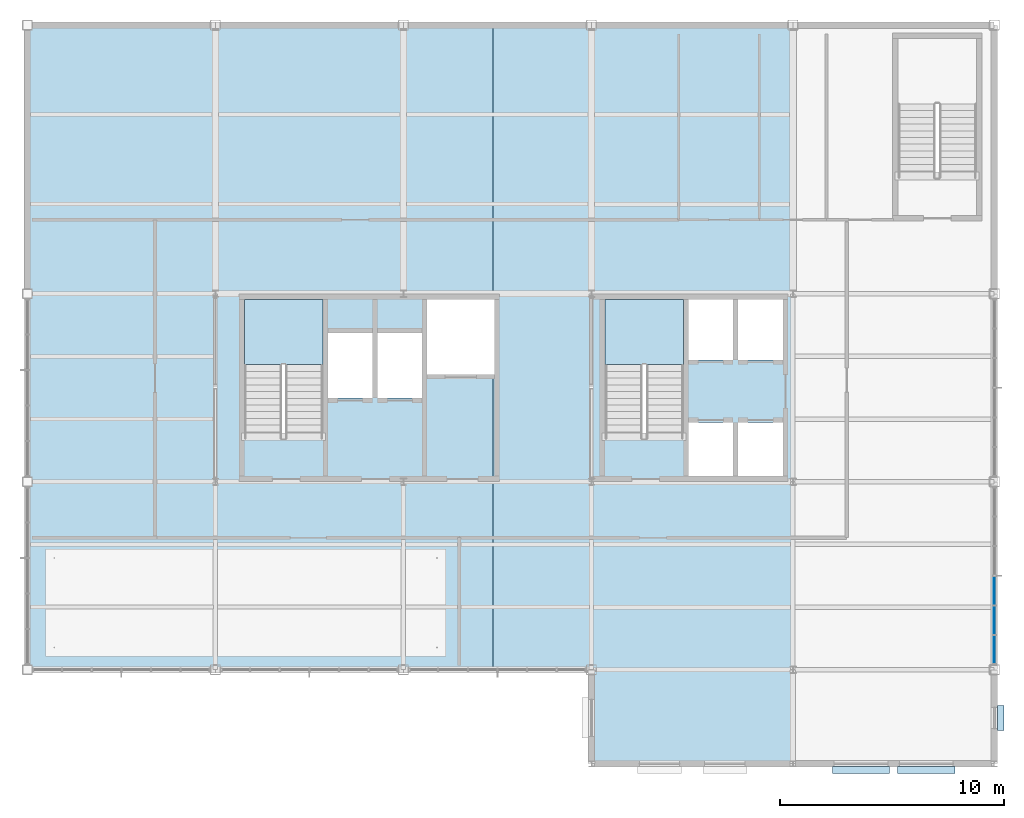
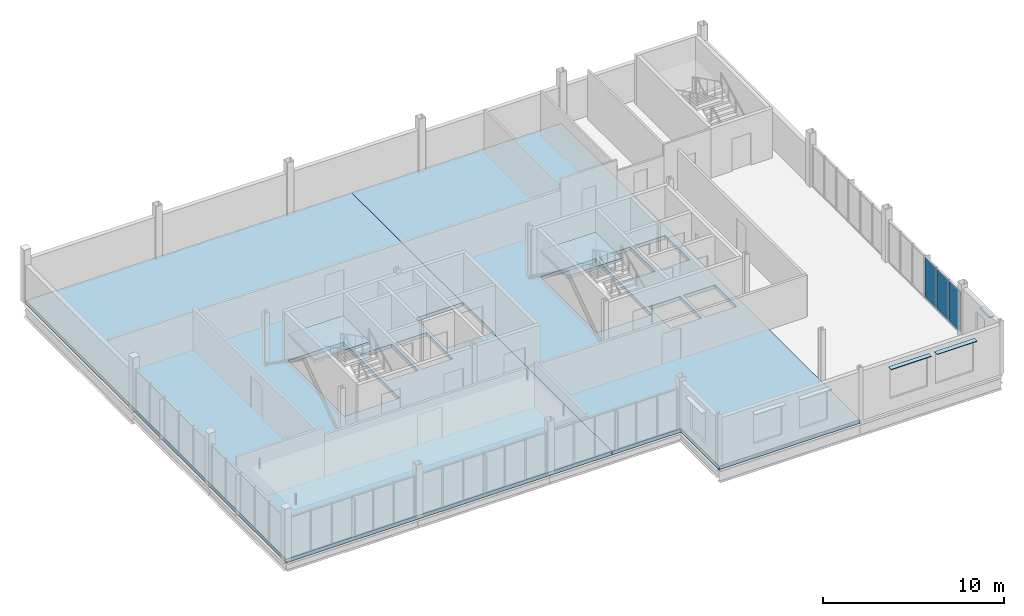
# One storey, part 11 of 19: 6 plates, 4 slabs, 3 elements without a shape of their own.
"""IFC4 building model written with IfcOpenShell, lengths in metres."""

from ifc_helpers import new_model, si_unit, direction, frame, origin, origin_2d, place, context, subcontext, project, spatial, polyline, rectangle, outline, extrude, material, layer, layer_set, type_object, element, aggregate, save


model = new_model("IFC4")

# Units and contexts
model_context = context("Model", 3, precision=1e-05, world=origin(), true_north=direction((0.0, 1.0)))
body_context = subcontext(model_context, "Body", "Model", "MODEL_VIEW")
ifc_project = project(units=[si_unit("LENGTHUNIT", "METRE"), si_unit("AREAUNIT", "SQUARE_METRE"), si_unit("VOLUMEUNIT", "CUBIC_METRE"), si_unit("PLANEANGLEUNIT", "RADIAN"), si_unit("MASSUNIT", "GRAM", prefix="KILO")], contexts=[model_context])

# Site, building, storey
site_placement = place(None, origin())
site = spatial("IfcSite", under=ifc_project, at=site_placement, CompositionType="ELEMENT")
building_placement = place(site_placement, origin())
building = spatial("IfcBuilding", under=site, at=building_placement, Name="Yukiwa Park Conservatory and Herbarium", CompositionType="ELEMENT")
storey_placement = place(building_placement, frame((0.0, 0.0, 46.800048828125)))
storey = spatial("IfcBuildingStorey", under=building, at=storey_placement, Name="L12", CompositionType="ELEMENT", Elevation=46.800048828125)

# Curtain wall, plates
ifc_material_1 = material(Name="Triple Low-E Insulated Glass", Category="glass")
ifc_layer_1 = layer(ifc_material_1, 0.22412109375)
ifc_layer_set_1 = layer_set([ifc_layer_1], Name="Triple Low-E Insulated Glass")
curtain_wall_type = type_object("IfcCurtainWallType", Name="CW-TOWER-CORNER-1400", PredefinedType="NOTDEFINED", material=ifc_layer_set_1)
curtain_wall_placement = place(storey_placement, origin())
curtain_wall = element("IfcCurtainWall", 1, at=curtain_wall_placement, inside=storey, type_object=curtain_wall_type, Name="L12 unitised curtain wall CW-L12-119", PredefinedType="NOTDEFINED")
ifc_material_2 = material(Name="Triple Low-E Insulated Glass", Category="glass")
ifc_layer_2 = layer(ifc_material_2, 0.035888671875)
ifc_layer_set_2 = layer_set([ifc_layer_2], Name="Triple Low-E Insulated Glass")
plate_type_1 = type_object("IfcPlateType", Name="PL-CW-GLZ-36", PredefinedType="CURTAIN_PANEL", material=ifc_layer_set_2)
plate_1_placement = place(storey_placement, frame((168.0, 87.28759765625, 0.06982421875), z_axis=(0.0, 0.0, 1.0), x_axis=(0.0, 1.0, 0.0)))
plate_1 = element("IfcPlate", 2, at=plate_1_placement, type_object=plate_type_1, Name="CW-L12-119 vision panel 1.1", PredefinedType="CURTAIN_PANEL", context=body_context, shape_type="SweptSolid", body=[
    extrude(rectangle(XDim=1.2548828125, YDim=0.035888671875, at=origin_2d()), origin(), (0.0, 0.0, 1.0), 2.697998046875),
])
plate_2_placement = place(storey_placement, frame((168.0, 88.612548828125, 0.06982421875), z_axis=(0.0, 0.0, 1.0), x_axis=(0.0, 1.0, 0.0)))
plate_2 = element("IfcPlate", 3, at=plate_2_placement, type_object=plate_type_1, Name="CW-L12-119 vision panel 2.1", PredefinedType="CURTAIN_PANEL", context=body_context, shape_type="SweptSolid", body=[
    extrude(rectangle(XDim=1.2548828125, YDim=0.035888671875, at=origin_2d()), origin(), (0.0, 0.0, 1.0), 2.697998046875),
])
plate_3_placement = place(storey_placement, frame((168.0, 89.9375, 0.06982421875), z_axis=(0.0, 0.0, 1.0), x_axis=(0.0, 1.0, 0.0)))
plate_3 = element("IfcPlate", 4, at=plate_3_placement, type_object=plate_type_1, Name="CW-L12-119 vision panel 3.1", PredefinedType="CURTAIN_PANEL", context=body_context, shape_type="SweptSolid", body=[
    extrude(rectangle(XDim=1.2548828125, YDim=0.035888671875, at=origin_2d()), origin(), (0.0, 0.0, 1.0), 2.697998046875),
])
aggregate(curtain_wall, [plate_1, plate_2, plate_3])

# Plates
ifc_material_3 = material(Name="Anodised Aluminium", Category="aluminium")
ifc_layer_3 = layer(ifc_material_3, 0.0400390625)
ifc_layer_set_3 = layer_set([ifc_layer_3], Name="Anodised Aluminium")
plate_type_2 = type_object("IfcPlateType", Name="PL-SHADE-ALU-40", PredefinedType="SHEET", material=ifc_layer_set_3)
plate_4_placement = place(storey_placement, frame((168.280029296875, 84.25, 2.739990234375), z_axis=(0.0, 0.0, 1.0), x_axis=(0.0, 1.0, 0.0)))
element("IfcPlate", 5, at=plate_4_placement, inside=storey, type_object=plate_type_2, Name="L12 snow-shedding window hood 180", PredefinedType="SHEET", context=body_context, shape_type="SweptSolid", body=[
    extrude(rectangle(XDim=1.110107421875, YDim=0.300048828125, at=origin_2d()), origin(), (0.0, 0.0, 1.0), 0.0400390625),
])
for number, where, z_axis, x_axis, name in (
    (6, (162.0419921875, 81.919921875, 2.989990234375), (0.0, 0.0, 1.0), (1.0, 0.0, 0.0), "L12 snow-shedding window hood 184"),
    (7, (164.9580078125, 81.919921875, 2.989990234375), (0.0, 0.0, 1.0), (1.0, 0.0, 0.0), "L12 snow-shedding window hood 185"),
):
    element("IfcPlate", number, at=place(storey_placement, frame(where, z_axis=z_axis, x_axis=x_axis)), inside=storey, type_object=plate_type_2, Name=name, PredefinedType="SHEET", context=body_context, shape_type="SweptSolid", body=[
        extrude(rectangle(XDim=2.56005859375, YDim=0.300048828125, at=origin_2d()), origin(), (0.0, 0.0, 1.0), 0.0400390625),
    ])

# Slabs
ifc_material_4 = material(Name="Concrete C40", Category="concrete")
ifc_layer_4 = layer(ifc_material_4, 0.24609375)
ifc_layer_set_4 = layer_set([ifc_layer_4], Name="Concrete C40")
slab_type_1 = type_object("IfcSlabType", Name="SL-FLR-246", PredefinedType="FLOOR", material=ifc_layer_set_4)
slab_1_placement = place(storey_placement, frame((0.0, 0.0, -0.24609375)))
element("IfcSlab", 8, at=slab_1_placement, inside=storey, type_object=slab_type_1, Name="L12 composite structural floor slab V5W", PredefinedType="FLOOR", context=body_context, shape_type="SweptSolid", body=[
    extrude(outline(polyline([(124.800048828125, 115.199951171875), (145.60009765625, 115.199951171875), (145.60009765625, 102.949951171875), (142.659912109375, 102.949951171875), (142.659912109375, 99.60009765625), (145.60009765625, 99.60009765625), (145.60009765625, 86.39990234375), (124.800048828125, 86.39990234375), (124.800048828125, 115.199951171875)]), holes=[polyline([(134.489990234375, 102.949951171875), (134.489990234375, 96.72998046875), (138.0, 96.72998046875), (138.0, 102.949951171875), (134.489990234375, 102.949951171875)]), polyline([(140.219970703125, 101.43994140625), (138.219970703125, 101.43994140625), (138.219970703125, 98.5400390625), (140.219970703125, 98.5400390625), (140.219970703125, 101.43994140625)]), polyline([(140.43994140625, 101.43994140625), (140.43994140625, 98.5400390625), (142.43994140625, 98.5400390625), (142.43994140625, 101.43994140625), (140.43994140625, 101.43994140625)])]), origin(), (0.0, 0.0, 1.0), 0.24609375),
])
slab_2_placement = place(storey_placement, frame((0.0, 0.0, -0.24609375)))
element("IfcSlab", 9, at=slab_2_placement, inside=storey, type_object=slab_type_1, Name="L12 composite structural floor slab V5C", PredefinedType="FLOOR", context=body_context, shape_type="SweptSolid", body=[
    extrude(outline(polyline([(150.0, 86.39990234375), (145.60009765625, 86.39990234375), (145.60009765625, 99.60009765625), (145.659912109375, 99.60009765625), (145.659912109375, 102.949951171875), (145.60009765625, 102.949951171875), (145.60009765625, 115.199951171875), (159.0, 115.199951171875), (159.0, 82.199951171875), (150.0, 82.199951171875), (150.0, 86.39990234375)]), holes=[polyline([(154.330078125, 97.449951171875), (154.330078125, 95.050048828125), (156.330078125, 95.050048828125), (156.330078125, 97.449951171875), (154.330078125, 97.449951171875)]), polyline([(156.550048828125, 97.449951171875), (156.550048828125, 95.050048828125), (158.550048828125, 95.050048828125), (158.550048828125, 97.449951171875), (156.550048828125, 97.449951171875)]), polyline([(154.110107421875, 102.949951171875), (150.60009765625, 102.949951171875), (150.60009765625, 96.72998046875), (154.110107421875, 96.72998046875), (154.110107421875, 102.949951171875)]), polyline([(154.330078125, 102.949951171875), (154.330078125, 100.25), (156.330078125, 100.25), (156.330078125, 102.949951171875), (154.330078125, 102.949951171875)]), polyline([(158.550048828125, 102.949951171875), (156.550048828125, 102.949951171875), (156.550048828125, 100.25), (158.550048828125, 100.25), (158.550048828125, 102.949951171875)])]), origin(), (0.0, 0.0, 1.0), 0.24609375),
])

# Stair, slab
ifc_material_5 = material(Name="Concrete C40", Category="concrete")
stair_type_1 = type_object("IfcStairType", Name="ST-DOGLEG-ST-T1", PredefinedType="HALF_TURN_STAIR", material=ifc_material_5)
stair_1_placement = place(storey_placement, origin())
stair_1 = element("IfcStair", 10, at=stair_1_placement, inside=storey, type_object=stair_type_1, Name="L12 Protected Smoke-Proof Stair ST-T1", PredefinedType="HALF_TURN_STAIR")
ifc_material_6 = material(Name="Concrete C40", Category="concrete")
ifc_layer_5 = layer(ifc_material_6, 0.199951171875)
ifc_layer_set_5 = layer_set([ifc_layer_5], Name="Concrete C40")
slab_type_2 = type_object("IfcSlabType", Name="SL-LANDING-220", PredefinedType="LANDING", material=ifc_layer_set_5)
slab_3_placement = place(storey_placement, frame((0.0, 0.0, 1.599853515625)))
slab_3 = element("IfcSlab", 11, at=slab_3_placement, type_object=slab_type_2, Name="ST-T1 landing 1", PredefinedType="LANDING", context=body_context, shape_type="SweptSolid", body=[
    extrude(outline(polyline([(138.0, 100.030029296875), (138.0, 102.949951171875), (134.489990234375, 102.949951171875), (134.489990234375, 100.030029296875), (138.0, 100.030029296875)])), origin(), (0.0, 0.0, 1.0), 0.2001953125),
])
aggregate(stair_1, [slab_3])

ifc_material_7 = material(Name="Concrete C40", Category="concrete")
stair_type_2 = type_object("IfcStairType", Name="ST-DOGLEG-ST-T2", PredefinedType="HALF_TURN_STAIR", material=ifc_material_7)
stair_2_placement = place(storey_placement, origin())
stair_2 = element("IfcStair", 12, at=stair_2_placement, inside=storey, type_object=stair_type_2, Name="L12 Protected Smoke-Proof Stair ST-T2", PredefinedType="HALF_TURN_STAIR")
slab_4_placement = place(storey_placement, frame((0.0, 0.0, 1.599853515625)))
slab_4 = element("IfcSlab", 13, at=slab_4_placement, type_object=slab_type_2, Name="ST-T2 landing 1", PredefinedType="LANDING", context=body_context, shape_type="SweptSolid", body=[
    extrude(outline(polyline([(154.110107421875, 100.030029296875), (154.110107421875, 102.949951171875), (150.60009765625, 102.949951171875), (150.60009765625, 100.030029296875), (154.110107421875, 100.030029296875)])), origin(), (0.0, 0.0, 1.0), 0.2001953125),
])
aggregate(stair_2, [slab_4])

save(model, "model.ifc")
